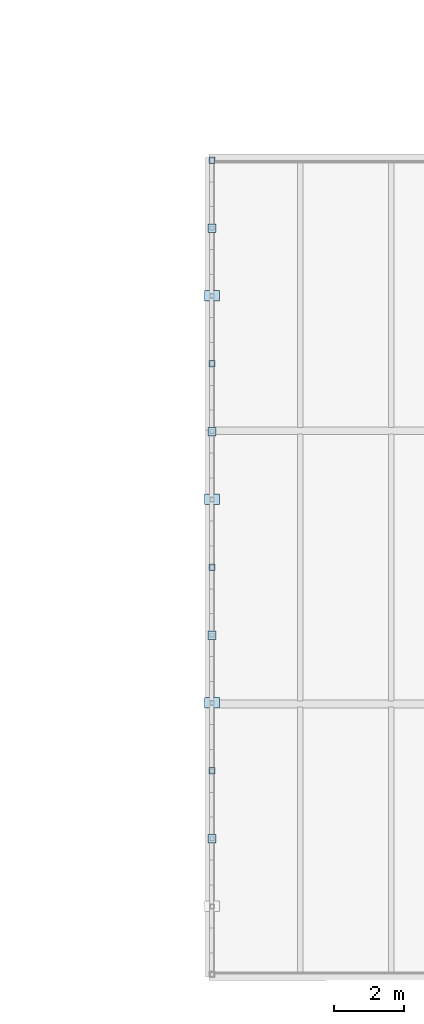
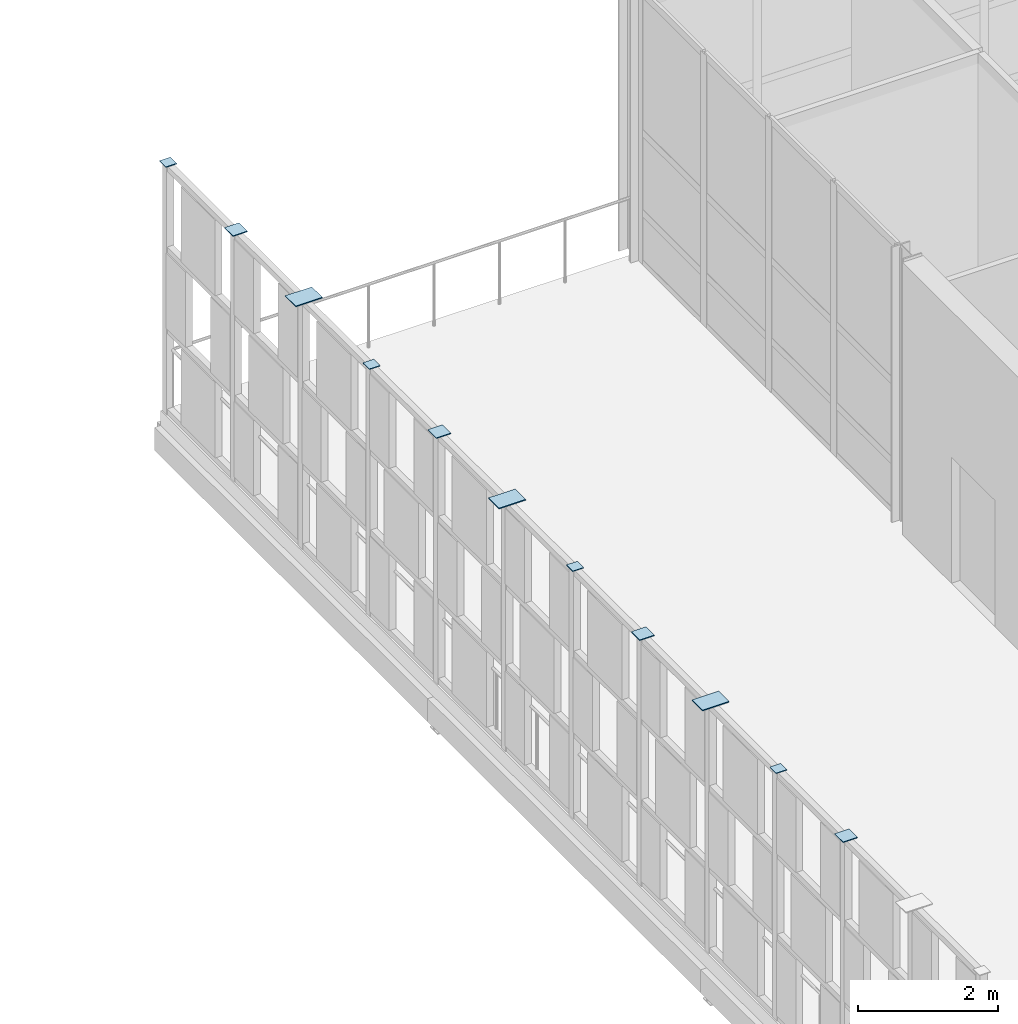
# One storey, part 96 of 138: 11 plates.
"""IFC4 building model written with IfcOpenShell, lengths in metres."""

from ifc_helpers import new_model, si_unit, direction, frame, origin, origin_2d, place, context, subcontext, project, spatial, rectangle, extrude, material, layer, layer_set, type_object, element, save


model = new_model("IFC4")

# Units and contexts
model_context = context("Model", 3, precision=1e-05, world=origin(), true_north=direction((0.0, 1.0)))
body_context = subcontext(model_context, "Body", "Model", "MODEL_VIEW")
ifc_project = project(units=[si_unit("LENGTHUNIT", "METRE"), si_unit("AREAUNIT", "SQUARE_METRE"), si_unit("VOLUMEUNIT", "CUBIC_METRE"), si_unit("PLANEANGLEUNIT", "RADIAN"), si_unit("MASSUNIT", "GRAM", prefix="KILO")], contexts=[model_context])

# Site, building, storey
site_placement = place(None, origin())
site = spatial("IfcSite", under=ifc_project, at=site_placement, CompositionType="ELEMENT")
building_placement = place(site_placement, origin())
building = spatial("IfcBuilding", under=site, at=building_placement, Name="Celorna Specialist Clinic", CompositionType="ELEMENT")
storey_placement = place(building_placement, frame((0.0, 0.0, 4.800048828125)))
storey = spatial("IfcBuildingStorey", under=building, at=storey_placement, Name="L01", CompositionType="ELEMENT", Elevation=4.800048828125)

# Plates
ifc_material = material(Name="Steel S355", Category="steel")
ifc_layer_1 = layer(ifc_material, 0.011962890625, Name="Steel S355")
ifc_layer_set_1 = layer_set([ifc_layer_1], Name="Steel S355")
plate_type_1 = type_object("IfcPlateType", Name="EP-06", PredefinedType="SHEET", material=ifc_layer_set_1)
for number, where, z_axis, x_axis, name in (
    (1, (124.8798828125, 65.889892578125, 4.33984375), (0.0, 0.0, 1.0), (0.0, 1.0, 0.0), "Screen post cap plate EP-06 #1902"),
    (2, (124.8798828125, 71.699951171875, 4.33984375), (0.0, 0.0, 1.0), (0.0, 1.0, 0.0), "Screen post cap plate EP-06 #1905"),
    (3, (124.8798828125, 77.510009765625, 4.33984375), (0.0, 0.0, 1.0), (0.0, 1.0, 0.0), "Screen post cap plate EP-06 #1908"),
    (4, (124.8798828125, 83.320068359375, 4.33984375), (0.0, 0.0, 1.0), (0.0, 1.0, 0.0), "Screen post cap plate EP-06 #1911"),
):
    element("IfcPlate", number, at=place(storey_placement, frame(where, z_axis=z_axis, x_axis=x_axis)), inside=storey, type_object=plate_type_1, Name=name, PredefinedType="SHEET", context=body_context, shape_type="SweptSolid", body=[
        extrude(rectangle(XDim=0.179931640625, YDim=0.179931640625, at=origin_2d()), origin(), (0.0, 0.0, 1.0), 0.011962890625),
    ])
ifc_layer_2 = layer(ifc_material, 0.01611328125, Name="Steel S355")
ifc_layer_set_2 = layer_set([ifc_layer_2], Name="Steel S355")
plate_type_2 = type_object("IfcPlateType", Name="EP-07", PredefinedType="SHEET", material=ifc_layer_set_2)
for number, where, z_axis, x_axis, name in (
    (5, (124.8798828125, 67.82666015625, 4.33984375), (0.0, 0.0, 1.0), (0.0, 1.0, 0.0), "Screen post cap plate EP-07 #1903"),
    (6, (124.8798828125, 73.63671875, 4.33984375), (0.0, 0.0, 1.0), (0.0, 1.0, 0.0), "Screen post cap plate EP-07 #1906"),
    (7, (124.8798828125, 79.44677734375, 4.33984375), (0.0, 0.0, 1.0), (0.0, 1.0, 0.0), "Screen post cap plate EP-07 #1909"),
):
    element("IfcPlate", number, at=place(storey_placement, frame(where, z_axis=z_axis, x_axis=x_axis)), inside=storey, type_object=plate_type_2, Name=name, PredefinedType="SHEET", context=body_context, shape_type="SweptSolid", body=[
        extrude(rectangle(XDim=0.300048828125, YDim=0.43994140625, at=origin_2d()), origin(), (0.0, 0.0, 1.0), 0.01611328125),
    ])
ifc_layer_3 = layer(ifc_material, 0.013916015625, Name="Steel S355")
ifc_layer_set_3 = layer_set([ifc_layer_3], Name="Steel S355")
plate_type_3 = type_object("IfcPlateType", Name="EP-08", PredefinedType="SHEET", material=ifc_layer_set_3)
for number, where, z_axis, x_axis, name in (
    (8, (124.8798828125, 63.953369140625, 4.33984375), (0.0, 0.0, 1.0), (0.0, 1.0, 0.0), "Screen post cap plate EP-08 #1901"),
    (9, (124.8798828125, 69.76318359375, 4.33984375), (0.0, 0.0, 1.0), (0.0, 1.0, 0.0), "Screen post cap plate EP-08 #1904"),
    (10, (124.8798828125, 75.5732421875, 4.33984375), (0.0, 0.0, 1.0), (0.0, 1.0, 0.0), "Screen post cap plate EP-08 #1907"),
    (11, (124.8798828125, 81.38330078125, 4.33984375), (0.0, 0.0, 1.0), (0.0, 1.0, 0.0), "Screen post cap plate EP-08 #1910"),
):
    element("IfcPlate", number, at=place(storey_placement, frame(where, z_axis=z_axis, x_axis=x_axis)), inside=storey, type_object=plate_type_3, Name=name, PredefinedType="SHEET", context=body_context, shape_type="SweptSolid", body=[
        extrude(rectangle(XDim=0.239990234375, YDim=0.239990234375, at=origin_2d()), origin(), (0.0, 0.0, 1.0), 0.013916015625),
    ])

save(model, "model.ifc")
